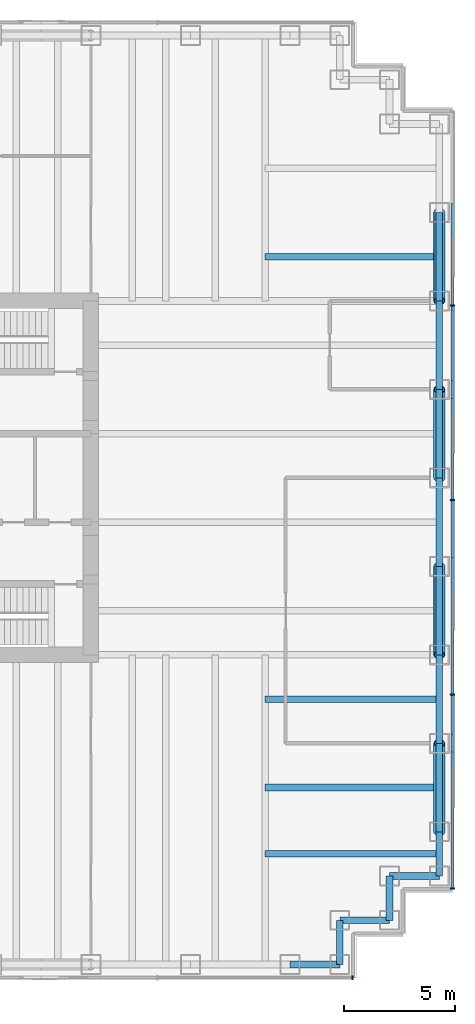
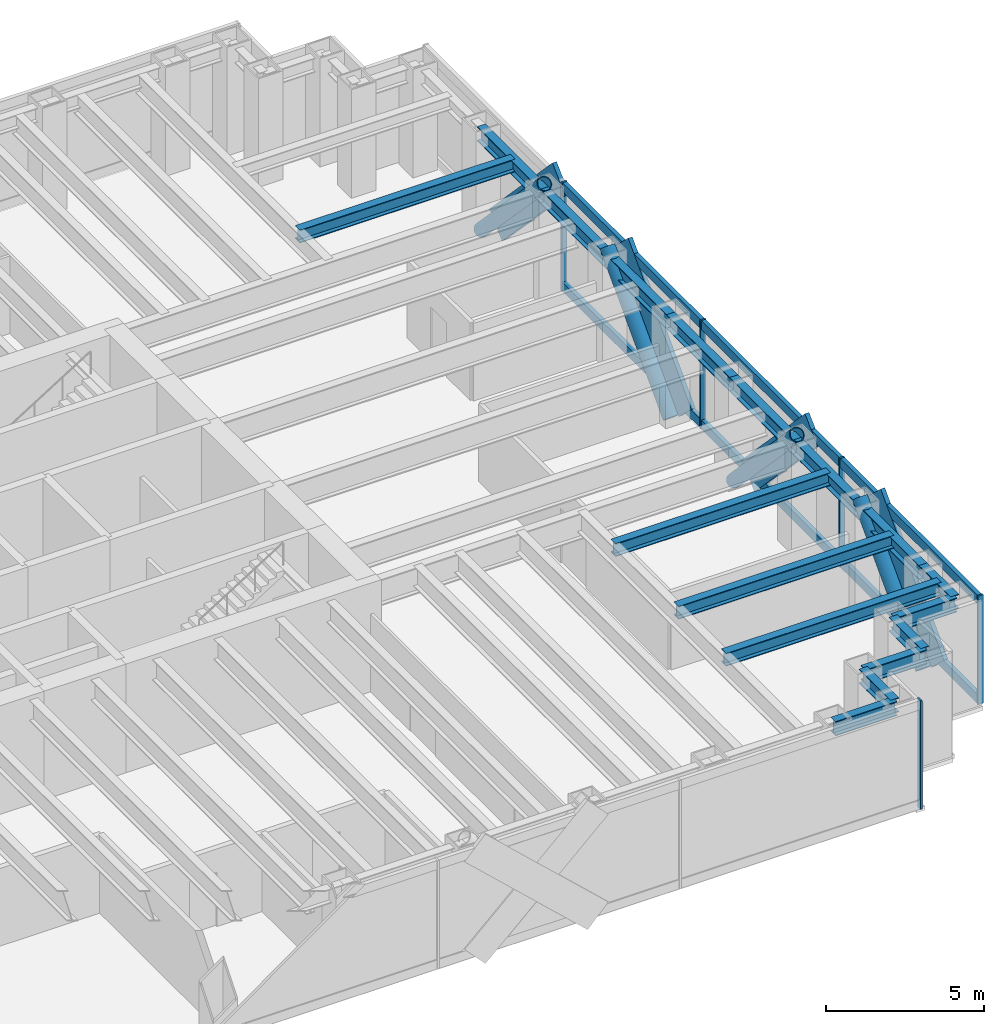
# One storey, part 8 of 17: 19 members, 17 beams, 2 elements without a shape of their own.
"""IFC4 building model written with IfcOpenShell, lengths in metres."""

from ifc_helpers import new_model, si_unit, direction, frame, origin, origin_2d, place, context, subcontext, project, spatial, rectangle, hollow_circle, i_section, extrude, material, material_profile, profile_set, type_object, element, aggregate, save


model = new_model("IFC4")

# Units and contexts
model_context = context("Model", 3, precision=1e-05, world=origin(), true_north=direction((0.0, 1.0)))
body_context = subcontext(model_context, "Body", "Model", "MODEL_VIEW")
ifc_project = project(units=[si_unit("LENGTHUNIT", "METRE"), si_unit("AREAUNIT", "SQUARE_METRE"), si_unit("VOLUMEUNIT", "CUBIC_METRE"), si_unit("PLANEANGLEUNIT", "RADIAN"), si_unit("MASSUNIT", "GRAM", prefix="KILO")], contexts=[model_context])

# Site, building, storey
site_placement = place(None, origin())
site = spatial("IfcSite", under=ifc_project, at=site_placement, CompositionType="ELEMENT")
building_placement = place(site_placement, origin())
building = spatial("IfcBuilding", under=site, at=building_placement, Name="Rheinbord Bourse Tower", CompositionType="ELEMENT")
storey_placement = place(building_placement, frame((0.0, 0.0, 317.300048828125)))
storey = spatial("IfcBuildingStorey", under=building, at=storey_placement, Name="L72", CompositionType="ELEMENT", Elevation=317.300048828125)

# Curtain wall, members
ifc_material_1 = material(Name="Dark glass and black aluminium", Category="aluminium")
curtain_wall_type = type_object("IfcCurtainWallType", Name="CW3 DARK GLASS CURTAIN WALL", PredefinedType="USERDEFINED", material=ifc_material_1)
curtain_wall_1_placement = place(storey_placement, origin())
curtain_wall_1 = element("IfcCurtainWall", 1, at=curtain_wall_1_placement, inside=storey, type_object=curtain_wall_type, Name="Curtain wall CW3 E L72", ObjectType="UNITISED CURTAIN WALL", PredefinedType="USERDEFINED")
ifc_material_2 = material(Name="Black anodised aluminium", Category="aluminium")
ifc_material_profile_1 = material_profile(ifc_material_2, rectangle(XDim=0.14990234375, YDim=1.10791015625, at=origin_2d()), Name="CW3 DIAGONAL MULLION 1108x150")
ifc_profile_set_1 = profile_set([ifc_material_profile_1], Name="Black anodised aluminium")
member_type_1 = type_object("IfcMemberType", Name="CW3 BLACK DIAGONAL MULLION", PredefinedType="USERDEFINED", material=ifc_profile_set_1)
member_1_placement = place(storey_placement, frame((70.35009765625, 8.0, 0.0), z_axis=(0.0, 0.689659376744, 0.724133926887), x_axis=(-1.0, 0.0, 0.0)))
member_1 = element("IfcMember", 2, at=member_1_placement, type_object=member_type_1, Name="CW3 diagonal mullion a", ObjectType="DIAGONAL MULLION", PredefinedType="USERDEFINED", context=body_context, shape_type="SweptSolid", body=[
    extrude(rectangle(XDim=0.14990234375, YDim=1.10791015625, at=origin_2d()), origin(), (0.0, 0.0, 1.0), 5.800048828125),
])
member_2_placement = place(storey_placement, frame((70.35009765625, 36.0, 0.0), z_axis=(0.0, -0.689659376744, 0.724133926887), x_axis=(1.0, 0.0, 0.0)))
member_2 = element("IfcMember", 3, at=member_2_placement, type_object=member_type_1, Name="CW3 diagonal mullion b", ObjectType="DIAGONAL MULLION", PredefinedType="USERDEFINED", context=body_context, shape_type="SweptSolid", body=[
    extrude(rectangle(XDim=0.14990234375, YDim=1.10791015625, at=origin_2d()), origin(), (0.0, 0.0, 1.0), 5.800048828125),
])
member_3_placement = place(storey_placement, frame((70.35009765625, 24.0, 0.0), z_axis=(0.0, 0.689659376744, 0.724133926887), x_axis=(-1.0, 0.0, 0.0)))
member_3 = element("IfcMember", 4, at=member_3_placement, type_object=member_type_1, Name="CW3 diagonal mullion c", ObjectType="DIAGONAL MULLION", PredefinedType="USERDEFINED", context=body_context, shape_type="SweptSolid", body=[
    extrude(rectangle(XDim=0.14990234375, YDim=1.10791015625, at=origin_2d()), origin(), (0.0, 0.0, 1.0), 5.800048828125),
])
member_4_placement = place(storey_placement, frame((70.35009765625, 20.0, 0.0), z_axis=(0.0, -0.689659376744, 0.724133926887), x_axis=(1.0, 0.0, 0.0)))
member_4 = element("IfcMember", 5, at=member_4_placement, type_object=member_type_1, Name="CW3 diagonal mullion d", ObjectType="DIAGONAL MULLION", PredefinedType="USERDEFINED", context=body_context, shape_type="SweptSolid", body=[
    extrude(rectangle(XDim=0.14990234375, YDim=1.10791015625, at=origin_2d()), origin(), (0.0, 0.0, 1.0), 5.800048828125),
])

# Curtain wall, member
curtain_wall_2_placement = place(storey_placement, origin())
curtain_wall_2 = element("IfcCurtainWall", 6, at=curtain_wall_2_placement, inside=storey, type_object=curtain_wall_type, Name="Curtain wall CW3 S L72", ObjectType="UNITISED CURTAIN WALL", PredefinedType="USERDEFINED")
ifc_material_3 = material(Name="Black anodised aluminium", Category="aluminium")
ifc_material_profile_2 = material_profile(ifc_material_3, rectangle(XDim=0.199951171875, YDim=0.06494140625, at=origin_2d()), Name="CW3 MULLION 65x200")
ifc_profile_set_2 = profile_set([ifc_material_profile_2], Name="Black anodised aluminium")
member_type_2 = type_object("IfcMemberType", Name="CW3 BLACK MULLION", PredefinedType="MULLION", material=ifc_profile_set_2)
member_5_placement = place(storey_placement, frame((65.8173828125, 1.39990234375, 0.0), z_axis=(0.0, 0.0, 1.0), x_axis=(0.0, 1.0, 0.0)))
member_5 = element("IfcMember", 7, at=member_5_placement, type_object=member_type_2, Name="CW3 mullion 8", PredefinedType="MULLION", context=body_context, shape_type="SweptSolid", body=[
    extrude(rectangle(XDim=0.199951171875, YDim=0.06494140625, at=origin_2d()), origin(), (0.0, 0.0, 1.0), 4.199951171875),
])
aggregate(curtain_wall_2, [member_5])

# Member
member_6_placement = place(storey_placement, frame((70.35009765625, 5.4326171875, 0.0), z_axis=(0.0, 0.0, 1.0), x_axis=(-1.0, 0.0, 0.0)))
member_6 = element("IfcMember", 8, at=member_6_placement, type_object=member_type_2, Name="CW3 mullion 1", PredefinedType="MULLION", context=body_context, shape_type="SweptSolid", body=[
    extrude(rectangle(XDim=0.199951171875, YDim=0.06494140625, at=origin_2d()), origin(), (0.0, 0.0, 1.0), 4.199951171875),
])

member_7_placement = place(storey_placement, frame((70.35009765625, 14.199951171875, 0.0), z_axis=(0.0, 0.0, 1.0), x_axis=(-1.0, 0.0, 0.0)))
member_7 = element("IfcMember", 9, at=member_7_placement, type_object=member_type_2, Name="CW3 mullion 2", PredefinedType="MULLION", context=body_context, shape_type="SweptSolid", body=[
    extrude(rectangle(XDim=0.199951171875, YDim=0.06494140625, at=origin_2d()), origin(), (0.0, 0.0, 1.0), 4.199951171875),
])

member_8_placement = place(storey_placement, frame((70.35009765625, 23.0, 0.0), z_axis=(0.0, 0.0, 1.0), x_axis=(-1.0, 0.0, 0.0)))
member_8 = element("IfcMember", 10, at=member_8_placement, type_object=member_type_2, Name="CW3 mullion 3", PredefinedType="MULLION", context=body_context, shape_type="SweptSolid", body=[
    extrude(rectangle(XDim=0.199951171875, YDim=0.06494140625, at=origin_2d()), origin(), (0.0, 0.0, 1.0), 4.199951171875),
])

member_9_placement = place(storey_placement, frame((70.35009765625, 31.800048828125, 0.0), z_axis=(0.0, 0.0, 1.0), x_axis=(-1.0, 0.0, 0.0)))
member_9 = element("IfcMember", 11, at=member_9_placement, type_object=member_type_2, Name="CW3 mullion 4", PredefinedType="MULLION", context=body_context, shape_type="SweptSolid", body=[
    extrude(rectangle(XDim=0.199951171875, YDim=0.06494140625, at=origin_2d()), origin(), (0.0, 0.0, 1.0), 4.199951171875),
])

ifc_material_4 = material(Name="Black anodised aluminium", Category="aluminium")
ifc_material_profile_3 = material_profile(ifc_material_4, rectangle(XDim=0.14990234375, YDim=0.35009765625, at=origin_2d()), Name="CW3 TRANSOM 350x150")
ifc_profile_set_3 = profile_set([ifc_material_profile_3], Name="Black anodised aluminium")
member_type_3 = type_object("IfcMemberType", Name="CW3 BLACK TRANSOM", PredefinedType="USERDEFINED", material=ifc_profile_set_3)
member_10_placement = place(storey_placement, frame((70.35009765625, 5.465087890625, 0.175048828125), z_axis=(0.0, 1.0, 0.0), x_axis=(-1.0, 0.0, 0.0)))
member_10 = element("IfcMember", 12, at=member_10_placement, type_object=member_type_3, Name="CW3 transom 1.1", ObjectType="TRANSOM", PredefinedType="USERDEFINED", context=body_context, shape_type="SweptSolid", body=[
    extrude(rectangle(XDim=0.14990234375, YDim=0.35009765625, at=origin_2d()), origin(), (0.0, 0.0, 1.0), 8.702392578125),
])

member_11_placement = place(storey_placement, frame((70.35009765625, 5.465087890625, 4.02490234375), z_axis=(0.0, 1.0, 0.0), x_axis=(-1.0, 0.0, 0.0)))
member_11 = element("IfcMember", 13, at=member_11_placement, type_object=member_type_3, Name="CW3 transom 1.2", ObjectType="TRANSOM", PredefinedType="USERDEFINED", context=body_context, shape_type="SweptSolid", body=[
    extrude(rectangle(XDim=0.14990234375, YDim=0.35009765625, at=origin_2d()), origin(), (0.0, 0.0, 1.0), 8.702392578125),
])

member_12_placement = place(storey_placement, frame((70.35009765625, 14.232421875, 0.175048828125), z_axis=(0.0, 1.0, 0.0), x_axis=(-1.0, 0.0, 0.0)))
member_12 = element("IfcMember", 14, at=member_12_placement, type_object=member_type_3, Name="CW3 transom 2.1", ObjectType="TRANSOM", PredefinedType="USERDEFINED", context=body_context, shape_type="SweptSolid", body=[
    extrude(rectangle(XDim=0.14990234375, YDim=0.35009765625, at=origin_2d()), origin(), (0.0, 0.0, 1.0), 8.735107421875),
])

member_13_placement = place(storey_placement, frame((70.35009765625, 14.232421875, 4.02490234375), z_axis=(0.0, 1.0, 0.0), x_axis=(-1.0, 0.0, 0.0)))
member_13 = element("IfcMember", 15, at=member_13_placement, type_object=member_type_3, Name="CW3 transom 2.2", ObjectType="TRANSOM", PredefinedType="USERDEFINED", context=body_context, shape_type="SweptSolid", body=[
    extrude(rectangle(XDim=0.14990234375, YDim=0.35009765625, at=origin_2d()), origin(), (0.0, 0.0, 1.0), 8.735107421875),
])

member_14_placement = place(storey_placement, frame((70.35009765625, 23.032470703125, 0.175048828125), z_axis=(0.0, 1.0, 0.0), x_axis=(-1.0, 0.0, 0.0)))
member_14 = element("IfcMember", 16, at=member_14_placement, type_object=member_type_3, Name="CW3 transom 3.1", ObjectType="TRANSOM", PredefinedType="USERDEFINED", context=body_context, shape_type="SweptSolid", body=[
    extrude(rectangle(XDim=0.14990234375, YDim=0.35009765625, at=origin_2d()), origin(), (0.0, 0.0, 1.0), 8.735107421875),
])

member_15_placement = place(storey_placement, frame((70.35009765625, 23.032470703125, 4.02490234375), z_axis=(0.0, 1.0, 0.0), x_axis=(-1.0, 0.0, 0.0)))
member_15 = element("IfcMember", 17, at=member_15_placement, type_object=member_type_3, Name="CW3 transom 3.2", ObjectType="TRANSOM", PredefinedType="USERDEFINED", context=body_context, shape_type="SweptSolid", body=[
    extrude(rectangle(XDim=0.14990234375, YDim=0.35009765625, at=origin_2d()), origin(), (0.0, 0.0, 1.0), 8.735107421875),
])

aggregate(curtain_wall_1, [member_6, member_7, member_8, member_9, member_10, member_11, member_12, member_13, member_14, member_15, member_1, member_2, member_3, member_4])

# Members
ifc_material_5 = material(Name="Steel S460", Category="steel")
ifc_material_profile_4 = material_profile(ifc_material_5, hollow_circle(Radius=0.25390625, WallThickness=0.030029296875, at=origin_2d()), Name="CHS 508x30")
ifc_profile_set_4 = profile_set([ifc_material_profile_4], Name="Steel S460")
member_type_4 = type_object("IfcMemberType", Name="MEGABRACE CHS 508x30", PredefinedType="BRACE", material=ifc_profile_set_4)
for number, where, z_axis, x_axis, name in (
    (18, (69.75, 8.0, 0.0), (0.0, 0.689659376744, 0.724133926887), (-1.0, 0.0, 0.0), "Megabrace E face line a L72"),
    (19, (69.75, 36.0, 0.0), (0.0, -0.689659376744, 0.724133926887), (1.0, 0.0, 0.0), "Megabrace E face line b L72"),
    (20, (69.75, 24.0, 0.0), (0.0, 0.689659376744, 0.724133926887), (-1.0, 0.0, 0.0), "Megabrace E face line c L72"),
    (21, (69.75, 20.0, 0.0), (0.0, -0.689659376744, 0.724133926887), (1.0, 0.0, 0.0), "Megabrace E face line d L72"),
):
    element("IfcMember", number, at=place(storey_placement, frame(where, z_axis=z_axis, x_axis=x_axis)), inside=storey, type_object=member_type_4, Name=name, PredefinedType="BRACE", context=body_context, shape_type="SweptSolid", body=[
        extrude(hollow_circle(Radius=0.25390625, WallThickness=0.030029296875, at=origin_2d()), origin(), (0.0, 0.0, 1.0), 5.800048828125),
    ])

# Beams
ifc_material_6 = material(Name="Steel S460", Category="steel")
ifc_material_profile_5 = material_profile(ifc_material_6, i_section(OverallWidth=0.300048828125, OverallDepth=0.550048828125, WebThickness=0.014892578125, FlangeThickness=0.029052734375, at=origin_2d()), Name="HEB 550")
ifc_profile_set_5 = profile_set([ifc_material_profile_5], Name="Steel S460")
beam_type_1 = type_object("IfcBeamType", Name="SPANDREL HEB 550", PredefinedType="SPANDREL", material=ifc_profile_set_5)
beam_1_placement = place(storey_placement, frame((63.0, 2.0, 3.764892578125), z_axis=(1.0, 0.0, 0.0), x_axis=(0.0, 1.0, 0.0)))
element("IfcBeam", 22, at=beam_1_placement, inside=storey, type_object=beam_type_1, Name="Spandrel S-63-SE-E under L73", PredefinedType="SPANDREL", context=body_context, shape_type="SweptSolid", body=[
    extrude(i_section(OverallWidth=0.300048828125, OverallDepth=0.550048828125, WebThickness=0.014892578125, FlangeThickness=0.029052734375, at=origin_2d()), origin(), (0.0, 0.0, 1.0), 2.25),
])
beam_2_placement = place(storey_placement, frame((65.25, 2.0, 3.764892578125), z_axis=(0.0, 1.0, 0.0), x_axis=(-1.0, 0.0, 0.0)))
element("IfcBeam", 23, at=beam_2_placement, inside=storey, type_object=beam_type_1, Name="Spandrel SE-E-SE-D under L73", PredefinedType="SPANDREL", context=body_context, shape_type="SweptSolid", body=[
    extrude(i_section(OverallWidth=0.300048828125, OverallDepth=0.550048828125, WebThickness=0.014892578125, FlangeThickness=0.029052734375, at=origin_2d()), origin(), (0.0, 0.0, 1.0), 2.0),
])
beam_3_placement = place(storey_placement, frame((65.25, 4.0, 3.764892578125), z_axis=(1.0, 0.0, 0.0), x_axis=(0.0, 1.0, 0.0)))
element("IfcBeam", 24, at=beam_3_placement, inside=storey, type_object=beam_type_1, Name="Spandrel SE-D-SE-C under L73", PredefinedType="SPANDREL", context=body_context, shape_type="SweptSolid", body=[
    extrude(i_section(OverallWidth=0.300048828125, OverallDepth=0.550048828125, WebThickness=0.014892578125, FlangeThickness=0.029052734375, at=origin_2d()), origin(), (0.0, 0.0, 1.0), 2.25),
])
beam_4_placement = place(storey_placement, frame((67.5, 4.0, 3.764892578125), z_axis=(0.0, 1.0, 0.0), x_axis=(-1.0, 0.0, 0.0)))
element("IfcBeam", 25, at=beam_4_placement, inside=storey, type_object=beam_type_1, Name="Spandrel SE-C-SE-B under L73", PredefinedType="SPANDREL", context=body_context, shape_type="SweptSolid", body=[
    extrude(i_section(OverallWidth=0.300048828125, OverallDepth=0.550048828125, WebThickness=0.014892578125, FlangeThickness=0.029052734375, at=origin_2d()), origin(), (0.0, 0.0, 1.0), 2.0),
])
beam_5_placement = place(storey_placement, frame((67.5, 6.0, 3.764892578125), z_axis=(1.0, 0.0, 0.0), x_axis=(0.0, 1.0, 0.0)))
element("IfcBeam", 26, at=beam_5_placement, inside=storey, type_object=beam_type_1, Name="Spandrel SE-B-SE-A under L73", PredefinedType="SPANDREL", context=body_context, shape_type="SweptSolid", body=[
    extrude(i_section(OverallWidth=0.300048828125, OverallDepth=0.550048828125, WebThickness=0.014892578125, FlangeThickness=0.029052734375, at=origin_2d()), origin(), (0.0, 0.0, 1.0), 2.25),
])
beam_6_placement = place(storey_placement, frame((69.75, 6.0, 3.764892578125), z_axis=(0.0, 1.0, 0.0), x_axis=(-1.0, 0.0, 0.0)))
element("IfcBeam", 27, at=beam_6_placement, inside=storey, type_object=beam_type_1, Name="Spandrel SE-A-E-8 under L73", PredefinedType="SPANDREL", context=body_context, shape_type="SweptSolid", body=[
    extrude(i_section(OverallWidth=0.300048828125, OverallDepth=0.550048828125, WebThickness=0.014892578125, FlangeThickness=0.029052734375, at=origin_2d()), origin(), (0.0, 0.0, 1.0), 2.0),
])
for number, where, z_axis, x_axis, name in (
    (28, (69.75, 8.0, 3.764892578125), (0.0, 1.0, 0.0), (-1.0, 0.0, 0.0), "Spandrel E-8-E-12 under L73"),
    (29, (69.75, 12.0, 3.764892578125), (0.0, 1.0, 0.0), (-1.0, 0.0, 0.0), "Spandrel E-12-E-16 under L73"),
    (30, (69.75, 16.0, 3.764892578125), (0.0, 1.0, 0.0), (-1.0, 0.0, 0.0), "Spandrel E-16-E-20 under L73"),
    (31, (69.75, 20.0, 3.764892578125), (0.0, 1.0, 0.0), (-1.0, 0.0, 0.0), "Spandrel E-20-E-24 under L73"),
    (32, (69.75, 24.0, 3.764892578125), (0.0, 1.0, 0.0), (-1.0, 0.0, 0.0), "Spandrel E-24-E-28 under L73"),
    (33, (69.75, 28.0, 3.764892578125), (0.0, 1.0, 0.0), (-1.0, 0.0, 0.0), "Spandrel E-28-E-32 under L73"),
    (34, (69.75, 32.0, 3.764892578125), (0.0, 1.0, 0.0), (-1.0, 0.0, 0.0), "Spandrel E-32-E-36 under L73"),
):
    element("IfcBeam", number, at=place(storey_placement, frame(where, z_axis=z_axis, x_axis=x_axis)), inside=storey, type_object=beam_type_1, Name=name, PredefinedType="SPANDREL", context=body_context, shape_type="SweptSolid", body=[
        extrude(i_section(OverallWidth=0.300048828125, OverallDepth=0.550048828125, WebThickness=0.014892578125, FlangeThickness=0.029052734375, at=origin_2d()), origin(), (0.0, 0.0, 1.0), 4.0),
    ])
ifc_material_7 = material(Name="Steel S460", Category="steel")
ifc_material_profile_6 = material_profile(ifc_material_7, i_section(OverallWidth=0.300048828125, OverallDepth=0.5, WebThickness=0.014404296875, FlangeThickness=0.028076171875, at=origin_2d()), Name="HEB 500")
ifc_profile_set_6 = profile_set([ifc_material_profile_6], Name="Steel S460")
beam_type_2 = type_object("IfcBeamType", Name="TIE BEAM HEB 500", PredefinedType="JOIST", material=ifc_profile_set_6)
for number, where, z_axis, x_axis, name in (
    (35, (61.875, 7.0, 3.7900390625), (1.0, 0.0, 0.0), (0.0, 1.0, 0.0), "Tie east 7 L73"),
    (36, (61.875, 10.0, 3.7900390625), (1.0, 0.0, 0.0), (0.0, 1.0, 0.0), "Tie east 10 L73"),
    (37, (61.875, 14.0, 3.7900390625), (1.0, 0.0, 0.0), (0.0, 1.0, 0.0), "Tie east 14 L73"),
    (38, (61.875, 34.0, 3.7900390625), (1.0, 0.0, 0.0), (0.0, 1.0, 0.0), "Tie east 34 L73"),
):
    element("IfcBeam", number, at=place(storey_placement, frame(where, z_axis=z_axis, x_axis=x_axis)), inside=storey, type_object=beam_type_2, Name=name, PredefinedType="JOIST", context=body_context, shape_type="SweptSolid", body=[
        extrude(i_section(OverallWidth=0.300048828125, OverallDepth=0.5, WebThickness=0.014404296875, FlangeThickness=0.028076171875, at=origin_2d()), origin(), (0.0, 0.0, 1.0), 7.875),
    ])

save(model, "model.ifc")
